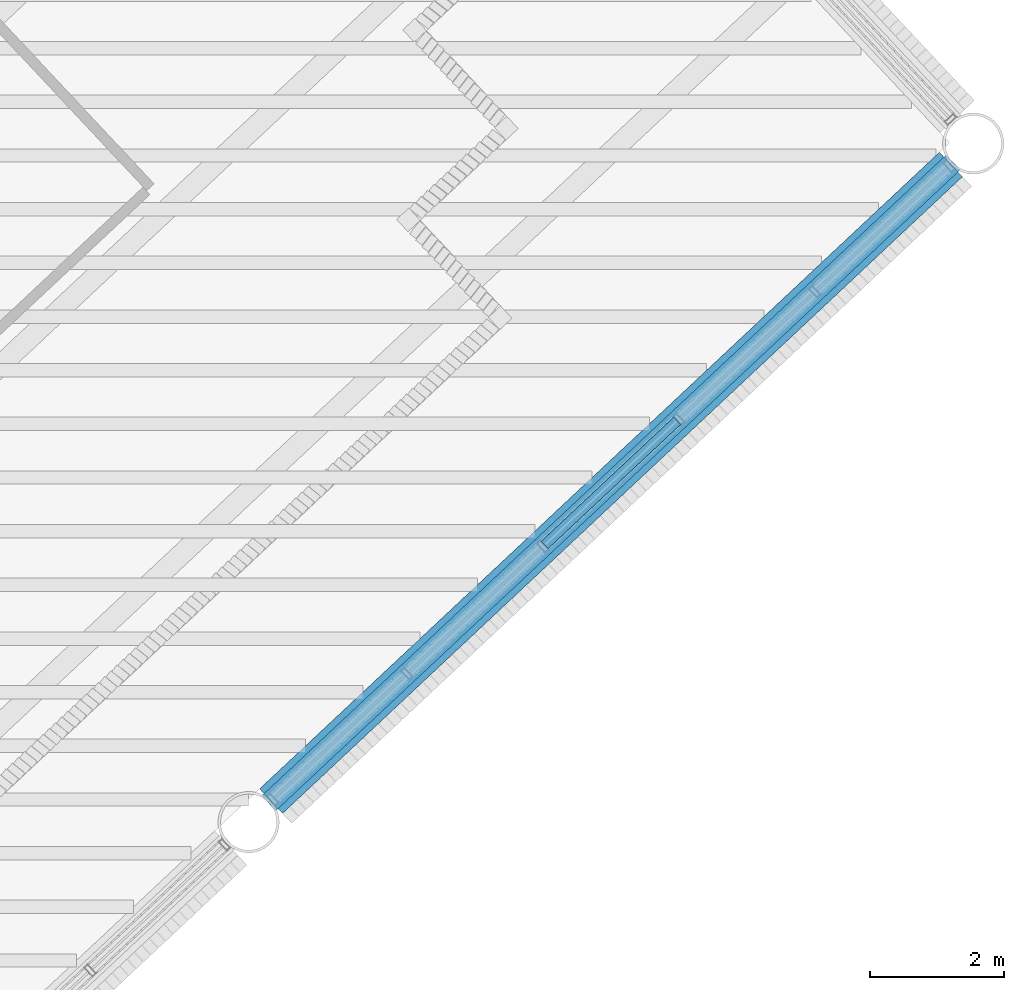
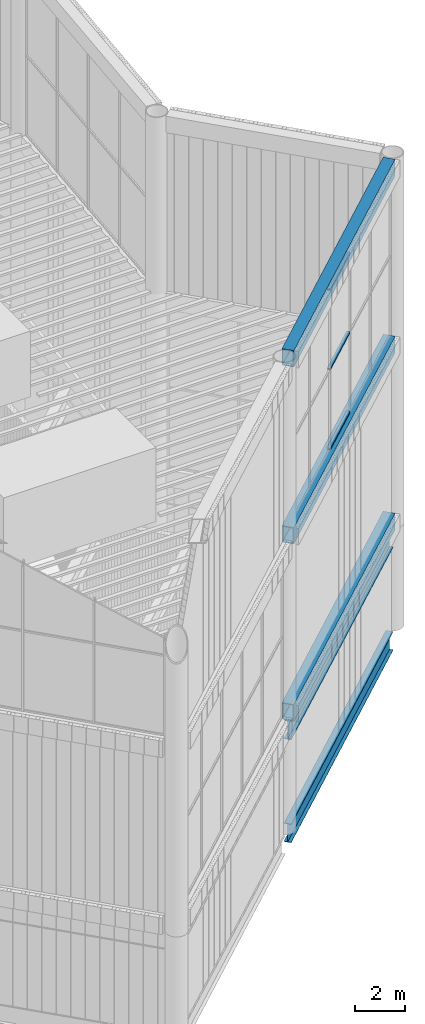
# One storey, part 66 of 117: 5 beams, 3 members, 1 element without a shape of its own.
"""IFC4 building model written with IfcOpenShell, lengths in metres."""

from ifc_helpers import new_model, si_unit, direction, frame, origin, origin_2d, place, context, subcontext, project, spatial, hollow_rectangle, i_section, extrude, material, layer, layer_set, material_profile, profile_set, type_object, element, aggregate, save


model = new_model("IFC4")

# Units and contexts
model_context = context("Model", 3, precision=1e-05, world=origin(), true_north=direction((0.0, 1.0)))
body_context = subcontext(model_context, "Body", "Model", "MODEL_VIEW")
ifc_project = project(units=[si_unit("LENGTHUNIT", "METRE"), si_unit("AREAUNIT", "SQUARE_METRE"), si_unit("VOLUMEUNIT", "CUBIC_METRE"), si_unit("PLANEANGLEUNIT", "RADIAN"), si_unit("MASSUNIT", "GRAM", prefix="KILO")], contexts=[model_context])

# Site, building, storey
site_placement = place(None, origin())
site = spatial("IfcSite", under=ifc_project, at=site_placement, CompositionType="ELEMENT")
building_placement = place(site_placement, origin())
building = spatial("IfcBuilding", under=site, at=building_placement, Name="Tarsis Ring Headquarters", CompositionType="ELEMENT")
storey_placement = place(building_placement, frame((0.0, 0.0, 403.60009765625)))
storey = spatial("IfcBuildingStorey", under=building, at=storey_placement, Name="L95", CompositionType="ELEMENT", Elevation=403.60009765625)

# Beams
ifc_material_1 = material(Name="Structural steel S355", Category="steel")
ifc_material_profile_1 = material_profile(ifc_material_1, hollow_rectangle(XDim=0.5, YDim=0.800048828125, WallThickness=0.030029296875, at=origin_2d()), Name="RHS 800x500x30")
ifc_profile_set_1 = profile_set([ifc_material_profile_1], Name="Structural steel S355")
beam_type_1 = type_object("IfcBeamType", Name="Crown frame ring beam RHS 800x500x30", PredefinedType="BEAM", material=ifc_profile_set_1)
for number, where, z_axis, x_axis, name in (
    (1, (24.120361328125, -25.0888671875, 5.39990234375), (0.729925274841, 0.683526951296, 0.0), (-0.683526951296, 0.729925274841, 0.0), "Crown frame ring beam R4"),
    (2, (24.120361328125, -25.0888671875, 14.0), (0.729925274841, 0.683526951296, 0.0), (-0.683526951296, 0.729925274841, 0.0), "Crown frame ring beam M4"),
    (3, (24.120361328125, -25.0888671875, 22.599853515625), (0.729925274841, 0.683526951296, 0.0), (-0.683526951296, 0.729925274841, 0.0), "Crown frame ring beam T4"),
):
    element("IfcBeam", number, at=place(storey_placement, frame(where, z_axis=z_axis, x_axis=x_axis)), inside=storey, type_object=beam_type_1, Name=name, PredefinedType="BEAM", context=body_context, shape_type="SweptSolid", body=[
        extrude(hollow_rectangle(XDim=0.5, YDim=0.800048828125, WallThickness=0.030029296875, at=origin_2d()), origin(), (0.0, 0.0, 1.0), 13.885986328125),
    ])

# Curtain wall, members
ifc_material_2 = material(Name="Aluminium curtain wall", Category="aluminium")
ifc_layer = layer(ifc_material_2, 0.179931640625)
ifc_layer_set = layer_set([ifc_layer], Name="Curtain wall crown glazing")
curtain_wall_type = type_object("IfcCurtainWallType", Name="Curtain wall crown glazing", PredefinedType="NOTDEFINED", material=ifc_layer_set)
curtain_wall_placement = place(storey_placement, origin())
curtain_wall = element("IfcCurtainWall", 4, at=curtain_wall_placement, inside=storey, type_object=curtain_wall_type, Name="Crown glazing U4", PredefinedType="NOTDEFINED")
ifc_material_3 = material(Name="Aluminium transom", Category="aluminium")
ifc_material_profile_2 = material_profile(ifc_material_3, hollow_rectangle(XDim=0.14990234375, YDim=0.070068359375, WallThickness=0.0048828125, at=origin_2d()), Name="RHS 150x70x5")
ifc_profile_set_2 = profile_set([ifc_material_profile_2], Name="Aluminium transom")
member_type = type_object("IfcMemberType", Name="Crown glazing transom RHS 150x70x5", PredefinedType="USERDEFINED", material=ifc_profile_set_2)
member_1_placement = place(storey_placement, frame((28.2001953125, -21.2685546875, 14.434814453125), z_axis=(0.729902687383, 0.683551071209, 0.0), x_axis=(-0.683551071209, 0.729902687383, 0.0)))
member_1 = element("IfcMember", 5, at=member_1_placement, type_object=member_type, Name="CW-C transom 3.1", ObjectType="TRANSOM", PredefinedType="USERDEFINED", context=body_context, shape_type="SweptSolid", body=[
    extrude(hollow_rectangle(XDim=0.14990234375, YDim=0.070068359375, WallThickness=0.0048828125, at=origin_2d()), origin(), (0.0, 0.0, 1.0), 2.707275390625),
])
member_2_placement = place(storey_placement, frame((28.2001953125, -21.2685546875, 18.2998046875), z_axis=(0.729902687383, 0.683551071209, 0.0), x_axis=(-0.683551071209, 0.729902687383, 0.0)))
member_2 = element("IfcMember", 6, at=member_2_placement, type_object=member_type, Name="CW-C transom 3.2", ObjectType="TRANSOM", PredefinedType="USERDEFINED", context=body_context, shape_type="SweptSolid", body=[
    extrude(hollow_rectangle(XDim=0.14990234375, YDim=0.070068359375, WallThickness=0.0048828125, at=origin_2d()), origin(), (0.0, 0.0, 1.0), 2.707275390625),
])
member_3_placement = place(storey_placement, frame((28.2001953125, -21.2685546875, 22.164794921875), z_axis=(0.729902687383, 0.683551071209, 0.0), x_axis=(-0.683551071209, 0.729902687383, 0.0)))
member_3 = element("IfcMember", 7, at=member_3_placement, type_object=member_type, Name="CW-C transom 3.3", ObjectType="TRANSOM", PredefinedType="USERDEFINED", context=body_context, shape_type="SweptSolid", body=[
    extrude(hollow_rectangle(XDim=0.14990234375, YDim=0.070068359375, WallThickness=0.0048828125, at=origin_2d()), origin(), (0.0, 0.0, 1.0), 2.707275390625),
])
aggregate(curtain_wall, [member_1, member_2, member_3])

# Beams
ifc_material_profile_3 = material_profile(ifc_material_1, i_section(OverallWidth=0.3046875, OverallDepth=0.904296875, WebThickness=0.01513671875, FlangeThickness=0.02001953125, at=origin_2d()), Name="W36x135")
ifc_profile_set_3 = profile_set([ifc_material_profile_3], Name="Structural steel S355")
beam_type_2 = type_object("IfcBeamType", Name="XG Ring girder W36x135", PredefinedType="BEAM", material=ifc_profile_set_3)
for number, where, z_axis, x_axis, name in (
    (8, (24.087158203125, -25.1201171875, -0.4521484375), (0.729922748297, 0.683529649334, 0.0), (-0.683529649334, 0.729922748297, 0.0), "Ring girder XG5"),
    (9, (24.087158203125, -25.1201171875, 4.5478515625), (0.729922748297, 0.683529649334, 0.0), (-0.683529649334, 0.729922748297, 0.0), "Ring girder XG5"),
):
    element("IfcBeam", number, at=place(storey_placement, frame(where, z_axis=z_axis, x_axis=x_axis)), inside=storey, type_object=beam_type_2, Name=name, PredefinedType="BEAM", context=body_context, shape_type="SweptSolid", body=[
        extrude(i_section(OverallWidth=0.3046875, OverallDepth=0.904296875, WebThickness=0.01513671875, FlangeThickness=0.02001953125, at=origin_2d()), origin(), (0.0, 0.0, 1.0), 13.97705078125),
    ])

save(model, "model.ifc")
